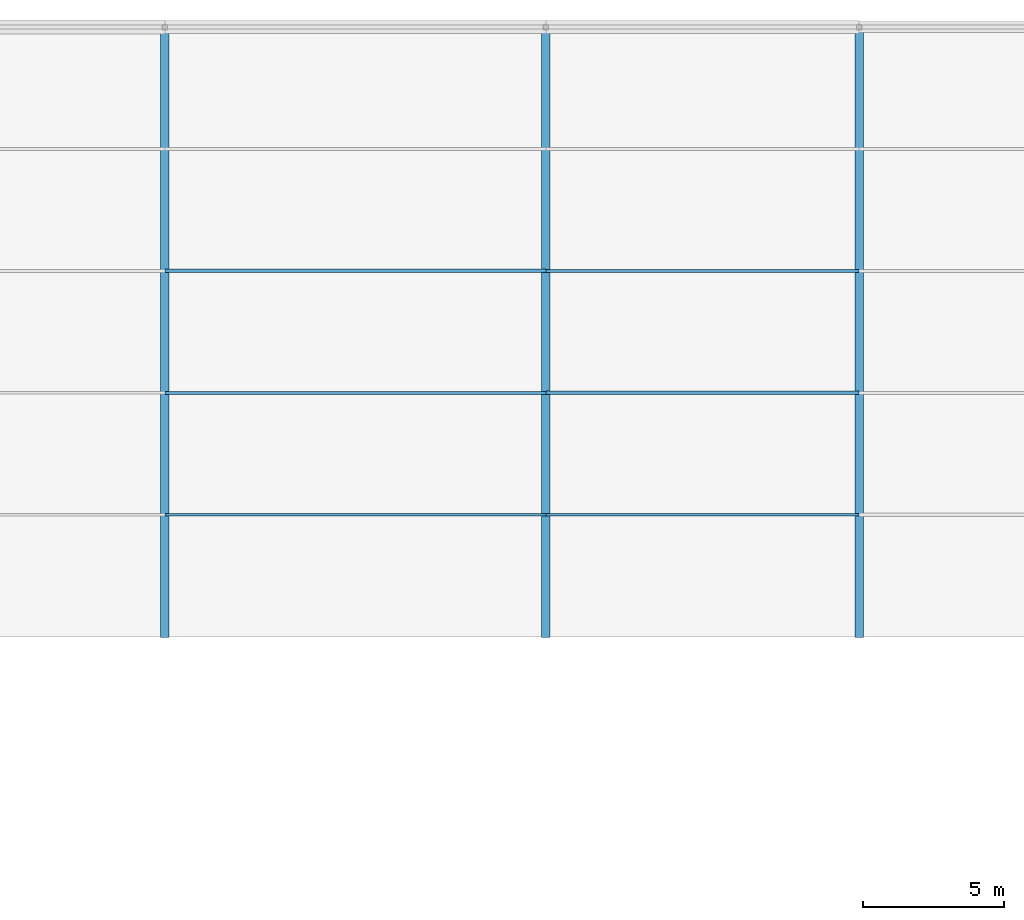
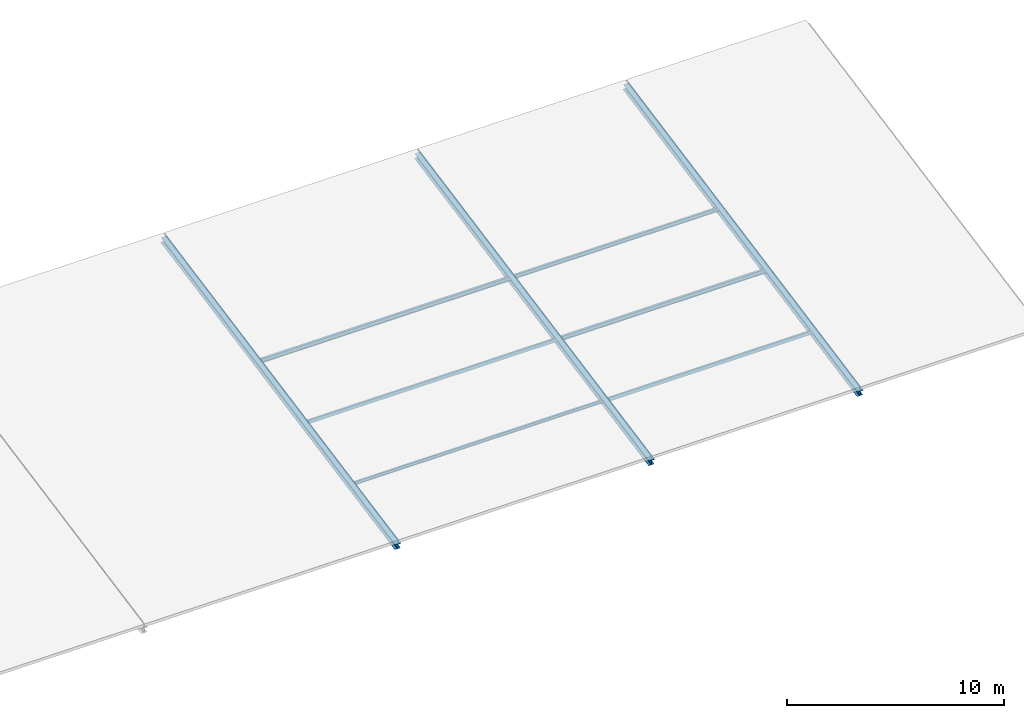
# One storey, part 42 of 80: 9 members.
"""IFC4 building model written with IfcOpenShell, lengths in metres."""

from ifc_helpers import new_model, si_unit, direction, frame, origin, origin_2d, place, context, subcontext, project, spatial, hollow_rectangle, i_section, extrude, material, material_profile, profile_set, type_object, element, save


model = new_model("IFC4")

# Units and contexts
model_context = context("Model", 3, precision=1e-05, world=origin(), true_north=direction((0.0, 1.0)))
body_context = subcontext(model_context, "Body", "Model", "MODEL_VIEW")
ifc_project = project(units=[si_unit("LENGTHUNIT", "METRE"), si_unit("AREAUNIT", "SQUARE_METRE"), si_unit("VOLUMEUNIT", "CUBIC_METRE"), si_unit("PLANEANGLEUNIT", "RADIAN"), si_unit("MASSUNIT", "GRAM", prefix="KILO")], contexts=[model_context])

# Site, building, storey
site_placement = place(None, origin())
site = spatial("IfcSite", under=ifc_project, at=site_placement, CompositionType="ELEMENT")
building_placement = place(site_placement, origin())
building = spatial("IfcBuilding", under=site, at=building_placement, Name="Fikremerkos Civic Library", CompositionType="ELEMENT")
storey_placement = place(building_placement, frame((0.0, 0.0, 9.89990234375)))
storey = spatial("IfcBuildingStorey", under=building, at=storey_placement, Name="L02", CompositionType="ELEMENT", Elevation=9.89990234375)

# Members
ifc_material = material(Name="Steel S355", Category="steel")
ifc_material_profile_1 = material_profile(ifc_material, i_section(OverallWidth=0.1201171875, OverallDepth=0.239990234375, WebThickness=0.006103515625, FlangeThickness=0.009765625, FilletRadius=0.014892578125, at=origin_2d()), Name="IPE 240")
ifc_profile_set_1 = profile_set([ifc_material_profile_1], Name="Steel S355")
member_type_1 = type_object("IfcMemberType", Name="Roof purlin PUR-01 IPE 240", PredefinedType="PURLIN", material=ifc_profile_set_1)
member_1_placement = place(storey_placement, frame((100.199951171875, 108.9599609375, 2.175537109375), z_axis=(1.0, 0.0, 0.0), x_axis=(0.0, 1.0, 0.0)))
element("IfcMember", 1, at=member_1_placement, inside=storey, type_object=member_type_1, Name="Roof purlin PUR-01 V2 bay 3.3", PredefinedType="PURLIN", context=body_context, shape_type="SweptSolid", body=[
    extrude(i_section(OverallWidth=0.1201171875, OverallDepth=0.239990234375, WebThickness=0.006103515625, FlangeThickness=0.009765625, FilletRadius=0.014892578125, at=origin_2d()), origin(), (0.0, 0.0, 1.0), 13.5),
])
member_2_placement = place(storey_placement, frame((113.699951171875, 104.639892578125, 1.335693359375), z_axis=(1.0, 0.0, 0.0), x_axis=(0.0, 1.0, 0.0)))
element("IfcMember", 2, at=member_2_placement, inside=storey, type_object=member_type_1, Name="Roof purlin PUR-01 V2 bay 4.2", PredefinedType="PURLIN", context=body_context, shape_type="SweptSolid", body=[
    extrude(i_section(OverallWidth=0.1201171875, OverallDepth=0.239990234375, WebThickness=0.006103515625, FlangeThickness=0.009765625, FilletRadius=0.014892578125, at=origin_2d()), origin(), (0.0, 0.0, 1.0), 11.10009765625),
])
ifc_material_profile_2 = material_profile(ifc_material, i_section(OverallWidth=0.110107421875, OverallDepth=0.219970703125, WebThickness=0.005859375, FlangeThickness=0.00927734375, FilletRadius=0.011962890625, at=origin_2d()), Name="IPE 220")
ifc_profile_set_2 = profile_set([ifc_material_profile_2], Name="Steel S355")
member_type_2 = type_object("IfcMemberType", Name="Roof purlin PUR-02 IPE 220", PredefinedType="PURLIN", material=ifc_profile_set_2)
member_3_placement = place(storey_placement, frame((113.699951171875, 108.9599609375, 2.185546875), z_axis=(1.0, 0.0, 0.0), x_axis=(0.0, 1.0, 0.0)))
element("IfcMember", 3, at=member_3_placement, inside=storey, type_object=member_type_2, Name="Roof purlin PUR-02 V2 bay 4.3", PredefinedType="PURLIN", context=body_context, shape_type="SweptSolid", body=[
    extrude(i_section(OverallWidth=0.110107421875, OverallDepth=0.219970703125, WebThickness=0.005859375, FlangeThickness=0.00927734375, FilletRadius=0.011962890625, at=origin_2d()), origin(), (0.0, 0.0, 1.0), 11.10009765625),
])
ifc_material_profile_3 = material_profile(ifc_material, i_section(OverallWidth=0.091064453125, OverallDepth=0.179931640625, WebThickness=0.00537109375, FlangeThickness=0.008056640625, FilletRadius=0.009033203125, at=origin_2d()), Name="IPE 180")
ifc_profile_set_3 = profile_set([ifc_material_profile_3], Name="Steel S355")
member_type_3 = type_object("IfcMemberType", Name="Roof purlin PUR-04 IPE 180", PredefinedType="PURLIN", material=ifc_profile_set_3)
member_4_placement = place(storey_placement, frame((100.199951171875, 100.320068359375, 0.526123046875), z_axis=(1.0, 0.0, 0.0), x_axis=(0.0, 1.0, 0.0)))
element("IfcMember", 4, at=member_4_placement, inside=storey, type_object=member_type_3, Name="Roof purlin PUR-04 V2 bay 3.1", PredefinedType="PURLIN", context=body_context, shape_type="SweptSolid", body=[
    extrude(i_section(OverallWidth=0.091064453125, OverallDepth=0.179931640625, WebThickness=0.00537109375, FlangeThickness=0.008056640625, FilletRadius=0.009033203125, at=origin_2d()), origin(), (0.0, 0.0, 1.0), 13.5),
])
ifc_material_profile_4 = material_profile(ifc_material, hollow_rectangle(XDim=0.10009765625, YDim=0.199951171875, WallThickness=0.008056640625, at=origin_2d()), Name="RHS 200x100x8")
ifc_profile_set_4 = profile_set([ifc_material_profile_4], Name="Steel S355")
member_type_4 = type_object("IfcMemberType", Name="Roof purlin PUR-05 RHS 200x100x8", PredefinedType="PURLIN", material=ifc_profile_set_4)
member_5_placement = place(storey_placement, frame((100.199951171875, 104.639892578125, 1.355712890625), z_axis=(1.0, 0.0, 0.0), x_axis=(0.0, 1.0, 0.0)))
element("IfcMember", 5, at=member_5_placement, inside=storey, type_object=member_type_4, Name="Roof purlin PUR-05 V2 bay 3.2", PredefinedType="PURLIN", context=body_context, shape_type="SweptSolid", body=[
    extrude(hollow_rectangle(XDim=0.10009765625, YDim=0.199951171875, WallThickness=0.008056640625, at=origin_2d()), origin(), (0.0, 0.0, 1.0), 13.5),
])
member_6_placement = place(storey_placement, frame((113.699951171875, 100.320068359375, 0.51611328125), z_axis=(1.0, 0.0, 0.0), x_axis=(0.0, 1.0, 0.0)))
element("IfcMember", 6, at=member_6_placement, inside=storey, type_object=member_type_4, Name="Roof purlin PUR-05 V2 bay 4.1", PredefinedType="PURLIN", context=body_context, shape_type="SweptSolid", body=[
    extrude(hollow_rectangle(XDim=0.10009765625, YDim=0.199951171875, WallThickness=0.008056640625, at=origin_2d()), origin(), (0.0, 0.0, 1.0), 11.10009765625),
])
ifc_material_profile_5 = material_profile(ifc_material, i_section(OverallWidth=0.300048828125, OverallDepth=0.31005859375, WebThickness=0.009033203125, FlangeThickness=0.015380859375, FilletRadius=0.027099609375, at=origin_2d()), Name="HEA 320")
ifc_profile_set_5 = profile_set([ifc_material_profile_5], Name="Steel S355")
member_type_5 = type_object("IfcMemberType", Name="Truss chord CHD-02 HEA 320", PredefinedType="CHORD", material=ifc_profile_set_5)
for number, where, z_axis, x_axis, name in (
    (7, (100.199951171875, 96.0, -0.35986328125), (0.0, 0.981628437529, 0.190802543574), (-1.0, 0.0, 0.0), "North-light roof rafter chord CHD-02 X=100.2"),
    (8, (113.699951171875, 96.0, -0.35986328125), (0.0, 0.981628437529, 0.190802543574), (-1.0, 0.0, 0.0), "North-light roof rafter chord CHD-02 X=113.7"),
    (9, (124.800048828125, 96.0, -0.35986328125), (0.0, 0.981628437529, 0.190802543574), (-1.0, 0.0, 0.0), "North-light roof rafter chord CHD-02 X=124.8"),
):
    element("IfcMember", number, at=place(storey_placement, frame(where, z_axis=z_axis, x_axis=x_axis)), inside=storey, type_object=member_type_5, Name=name, PredefinedType="CHORD", context=body_context, shape_type="SweptSolid", body=[
        extrude(i_section(OverallWidth=0.300048828125, OverallDepth=0.31005859375, WebThickness=0.009033203125, FlangeThickness=0.015380859375, FilletRadius=0.027099609375, at=origin_2d()), origin(), (0.0, 0.0, 1.0), 22.00439453125),
    ])

save(model, "model.ifc")
